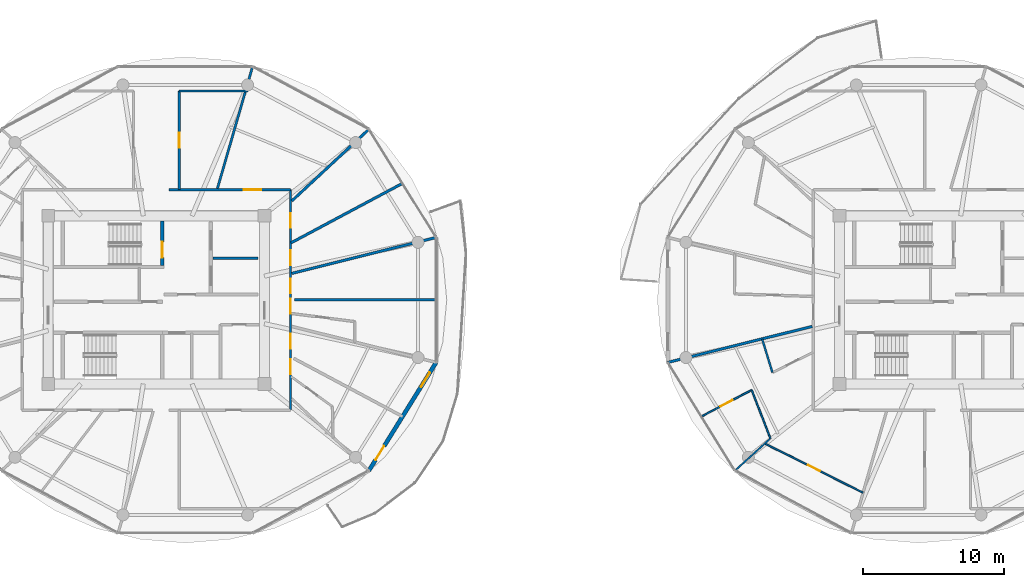
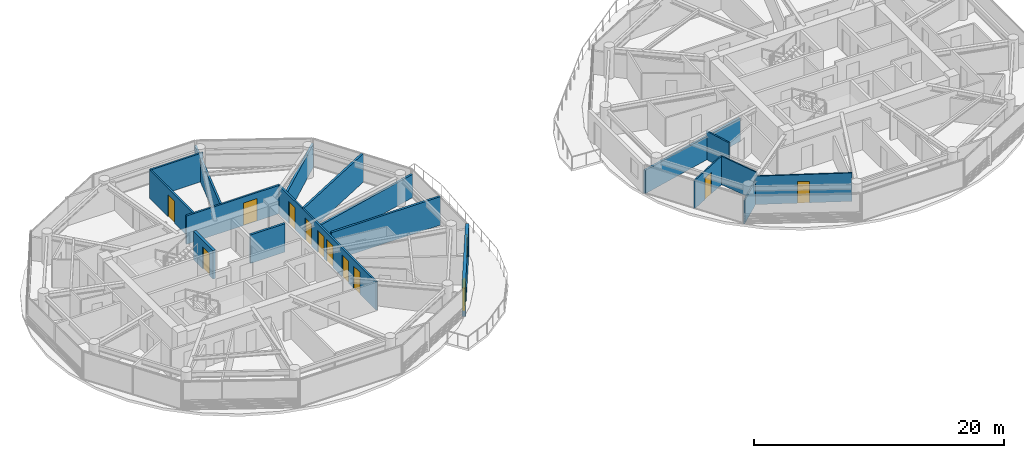
# One storey, part 15 of 22: 18 walls, 12 doors, 1 window, 13 openings.
"""IFC4 building model written with IfcOpenShell, lengths in metres."""

from ifc_helpers import new_model, si_unit, direction, frame, frame_2d, origin, place, context, subcontext, project, spatial, rectangle, extrude, source, transform, mapped, material, layer, layer_set, type_object, type_shapes, element, fill, save


model = new_model("IFC4")

# Units and contexts
model_context = context("Model", 3, precision=1e-05, world=origin(), true_north=direction((0.0, 1.0)))
body_context = subcontext(model_context, "Body", "Model", "MODEL_VIEW")
ifc_project = project(units=[si_unit("LENGTHUNIT", "METRE"), si_unit("AREAUNIT", "SQUARE_METRE"), si_unit("VOLUMEUNIT", "CUBIC_METRE"), si_unit("PLANEANGLEUNIT", "RADIAN"), si_unit("MASSUNIT", "GRAM", prefix="KILO")], contexts=[model_context])

# Site, building, storey
site_placement = place(None, origin())
site = spatial("IfcSite", under=ifc_project, at=site_placement, CompositionType="ELEMENT")
building_placement = place(site_placement, origin())
building = spatial("IfcBuilding", under=site, at=building_placement, Name="Norrkilde Senior Care Towers", CompositionType="ELEMENT")
storey_placement = place(building_placement, frame((0.0, 0.0, 120.64990234375)))
storey = spatial("IfcBuildingStorey", under=building, at=storey_placement, Name="L37", CompositionType="ELEMENT", Elevation=120.64990234375)

# Wall, openings, door, window
ifc_material_1 = material(Name="Precast concrete C45/55", Category="concrete")
ifc_layer_1 = layer(ifc_material_1, 0.2900390625)
ifc_layer_set_1 = layer_set([ifc_layer_1], Name="Precast concrete C45/55")
wall_type_1 = type_object("IfcWallType", Name="Winter Garden Facade Wall 290", PredefinedType="SOLIDWALL", material=ifc_layer_set_1)
shared_shape_1 = source(origin(), body_context, "Body", "SweptSolid", [
    extrude(rectangle(XDim=9.01416015625, YDim=0.2900390625, at=frame_2d((4.507080078125, 0.0))), origin(), (0.0, 0.0, 1.0), 2.7900390625),
])
type_shapes(wall_type_1, [shared_shape_1])
wall_1_placement = place(storey_placement, frame((-8.1962890625, -4.420654296875, 0.0), z_axis=(0.0, 0.0, 1.0), x_axis=(-0.527732945084, -0.849410347637, 0.0)))
wall_1 = element("IfcWall", 1, at=wall_1_placement, inside=storey, type_object=wall_type_1, Name="L37 Drum W Balcony Access Wall 10", PredefinedType="SOLIDWALL", context=body_context, shape_type="MappedRepresentation", body=[
    mapped(shared_shape_1, transform((0.0, 0.0, 0.0), x_axis=(1.0, 0.0, 0.0), y_axis=(0.0, 1.0, 0.0), z_axis=(0.0, 0.0, 1.0), scale=1.0)),
])
opening_1_placement = place(wall_1_placement, frame((6.97998046875, 0.0, 0.0)))
opening_1 = element("IfcOpeningElement", 2, at=opening_1_placement, cuts=wall_1, Name="Opening D-09", PredefinedType="OPENING", context=body_context, shape_type="SweptSolid", body=[
    extrude(rectangle(XDim=1.14990234375, YDim=2.25, at=frame_2d((0.574951171875, 1.125))), frame((0.0, 0.155029296875, 0.0), z_axis=(0.0, -1.0, 0.0), x_axis=(1.0, 0.0, 0.0)), (0.0, 0.0, 1.0), 0.31005859375),
])
opening_2_placement = place(wall_1_placement, frame((0.85009765625, 0.0, 0.85009765625)))
opening_2 = element("IfcOpeningElement", 3, at=opening_2_placement, cuts=wall_1, Name="Opening WN-07", PredefinedType="OPENING", context=body_context, shape_type="SweptSolid", body=[
    extrude(rectangle(XDim=1.199951171875, YDim=1.5, at=frame_2d((0.60009765625, 0.75))), frame((0.0, 0.155029296875, 0.0), z_axis=(0.0, -1.0, 0.0), x_axis=(1.0, 0.0, 0.0)), (0.0, 0.0, 1.0), 0.31005859375),
])
ifc_material_2 = material(Name="Anodised Aluminium", Category="aluminium")
door_type_1 = type_object("IfcDoorType", Name="Terrace and Balcony Glazed Door 1150x2250", OperationType="NOTDEFINED", PredefinedType="DOOR", material=ifc_material_2)
shared_shape_2 = source(origin(), body_context, "Body", "SweptSolid", [
    extrude(rectangle(XDim=1.14990234375, YDim=2.25, at=frame_2d((0.574951171875, 1.125))), frame((0.0, 0.02490234375, 0.0), z_axis=(0.0, -1.0, 0.0), x_axis=(1.0, 0.0, 0.0)), (0.0, 0.0, 1.0), 0.050048828125),
])
type_shapes(door_type_1, [shared_shape_2])
door_1_placement = place(opening_1_placement, origin())
door_1 = element("IfcDoor", 4, at=door_1_placement, inside=storey, type_object=door_type_1, Name="L37 Drum W Outdoor Terrace Door 10", OperationType="SINGLE_SWING_LEFT", OverallHeight=2.25, OverallWidth=1.14990234375, PredefinedType="DOOR", context=body_context, shape_type="MappedRepresentation", body=[
    mapped(shared_shape_2, transform((0.0, 0.0, 0.0), x_axis=(1.0, 0.0, 0.0), y_axis=(0.0, 1.0, 0.0), z_axis=(0.0, 0.0, 1.0), scale=1.0)),
])
fill(opening_1, door_1)
ifc_material_3 = material(Name="Triple Low-E Insulated Glazing", Category="glass")
window_type = type_object("IfcWindowType", Name="Stairwell Smoke Vent Window 1200x1500", PartitioningType="SINGLE_PANEL", PredefinedType="WINDOW", material=ifc_material_3)
shared_shape_3 = source(origin(), body_context, "Body", "SweptSolid", [
    extrude(rectangle(XDim=1.199951171875, YDim=1.5, at=frame_2d((0.60009765625, 0.75))), frame((0.0, 0.030029296875, 0.0), z_axis=(0.0, -1.0, 0.0), x_axis=(1.0, 0.0, 0.0)), (0.0, 0.0, 1.0), 0.06005859375),
])
type_shapes(window_type, [shared_shape_3])
window_placement = place(opening_2_placement, origin())
window = element("IfcWindow", 5, at=window_placement, inside=storey, type_object=window_type, Name="L37 Drum W Winter Garden Window 10", OverallHeight=1.5, OverallWidth=1.199951171875, PartitioningType="SINGLE_PANEL", PredefinedType="WINDOW", context=body_context, shape_type="MappedRepresentation", body=[
    mapped(shared_shape_3, transform((0.0, 0.0, 0.0), x_axis=(1.0, 0.0, 0.0), y_axis=(0.0, 1.0, 0.0), z_axis=(0.0, 0.0, 1.0), scale=1.0)),
])
fill(opening_2, window)

# Wall
ifc_material_4 = material(Name="Concrete C45/55", Category="concrete")
ifc_layer_2 = layer(ifc_material_4, 0.199951171875)
ifc_layer_set_2 = layer_set([ifc_layer_2], Name="Concrete C45/55")
wall_type_2 = type_object("IfcWallType", Name="Shaft Division and Plant Partition 200", PredefinedType="PARTITIONING", material=ifc_layer_set_2)
shared_shape_4 = source(origin(), body_context, "Body", "SweptSolid", [
    extrude(rectangle(XDim=3.199951171875, YDim=0.199951171875, at=frame_2d((1.60009765625, 0.0))), origin(), (0.0, 0.0, 1.0), 2.775146484375),
])
type_shapes(wall_type_2, [shared_shape_4])
wall_2_placement = place(storey_placement, frame((-24.0, 2.949951171875, 0.0), z_axis=(0.0, 0.0, 1.0), x_axis=(1.0, 0.0, 0.0)))
element("IfcWall", 6, at=wall_2_placement, inside=storey, type_object=wall_type_2, Name="WL-INT-L37-W-FFLDIV", PredefinedType="PARTITIONING", context=body_context, shape_type="MappedRepresentation", body=[
    mapped(shared_shape_4, transform((0.0, 0.0, 0.0), x_axis=(1.0, 0.0, 0.0), y_axis=(0.0, 1.0, 0.0), z_axis=(0.0, 0.0, 1.0), scale=1.0)),
])

# Wall, openings, doors
ifc_material_5 = material(Name="Gypsum Acoustic Board")
ifc_layer_3 = layer(ifc_material_5, 0.1650390625)
ifc_layer_set_3 = layer_set([ifc_layer_3], Name="Gypsum Acoustic Board")
wall_type_3 = type_object("IfcWallType", Name="Corridor Rated Partition 165", PredefinedType="PARTITIONING", material=ifc_layer_set_3)
shared_shape_5 = source(origin(), body_context, "Body", "SweptSolid", [
    extrude(rectangle(XDim=15.60009765625, YDim=0.1650390625, at=frame_2d((7.800048828125, 0.0))), origin(), (0.0, 0.0, 1.0), 2.775146484375),
])
wall_3_placement = place(storey_placement, frame((-18.5, 7.800048828125, 0.0), z_axis=(0.0, 0.0, 1.0), x_axis=(0.0, -1.0, 0.0)))
wall_3 = element("IfcWall", 7, at=wall_3_placement, inside=storey, type_object=wall_type_3, Name="WL-INT-L37-W-CRW-E-0", PredefinedType="PARTITIONING", context=body_context, shape_type="MappedRepresentation", body=[
    mapped(shared_shape_5, transform((0.0, 0.0, 0.0), x_axis=(1.0, 0.0, 0.0), y_axis=(0.0, 1.0, 0.0), z_axis=(0.0, 0.0, 1.0), scale=1.0)),
])
opening_3_placement = place(wall_3_placement, frame((12.001953125, 0.0, 0.0)))
opening_3 = element("IfcOpeningElement", 8, at=opening_3_placement, cuts=wall_3, Name="Opening D-06", PredefinedType="OPENING", context=body_context, shape_type="SweptSolid", body=[
    extrude(rectangle(XDim=1.050048828125, YDim=2.14990234375, at=frame_2d((0.52490234375, 1.074951171875))), frame((0.0, 0.092529296875, 0.0), z_axis=(0.0, -1.0, 0.0), x_axis=(1.0, 0.0, 0.0)), (0.0, 0.0, 1.0), 0.18505859375),
])
opening_4_placement = place(wall_3_placement, frame((10.210693359375, 0.0, 0.0)))
opening_4 = element("IfcOpeningElement", 9, at=opening_4_placement, cuts=wall_3, Name="Opening D-06", PredefinedType="OPENING", context=body_context, shape_type="SweptSolid", body=[
    extrude(rectangle(XDim=1.050048828125, YDim=2.14990234375, at=frame_2d((0.52490234375, 1.074951171875))), frame((0.0, 0.092529296875, 0.0), z_axis=(0.0, -1.0, 0.0), x_axis=(1.0, 0.0, 0.0)), (0.0, 0.0, 1.0), 0.18505859375),
])
opening_5_placement = place(wall_3_placement, frame((7.721923828125, 0.0, 0.0)))
opening_5 = element("IfcOpeningElement", 10, at=opening_5_placement, cuts=wall_3, Name="Opening D-06", PredefinedType="OPENING", context=body_context, shape_type="SweptSolid", body=[
    extrude(rectangle(XDim=1.050048828125, YDim=2.14990234375, at=frame_2d((0.52490234375, 1.074951171875))), frame((0.0, 0.092529296875, 0.0), z_axis=(0.0, -1.0, 0.0), x_axis=(1.0, 0.0, 0.0)), (0.0, 0.0, 1.0), 0.18505859375),
])
opening_6_placement = place(wall_3_placement, frame((6.290771484375, 0.0, 0.0)))
opening_6 = element("IfcOpeningElement", 11, at=opening_6_placement, cuts=wall_3, Name="Opening D-06", PredefinedType="OPENING", context=body_context, shape_type="SweptSolid", body=[
    extrude(rectangle(XDim=1.050048828125, YDim=2.14990234375, at=frame_2d((0.52490234375, 1.074951171875))), frame((0.0, 0.092529296875, 0.0), z_axis=(0.0, -1.0, 0.0), x_axis=(1.0, 0.0, 0.0)), (0.0, 0.0, 1.0), 0.18505859375),
])
opening_7_placement = place(wall_3_placement, frame((4.296142578125, 0.0, 0.0)))
opening_7 = element("IfcOpeningElement", 12, at=opening_7_placement, cuts=wall_3, Name="Opening D-06", PredefinedType="OPENING", context=body_context, shape_type="SweptSolid", body=[
    extrude(rectangle(XDim=1.050048828125, YDim=2.14990234375, at=frame_2d((0.52490234375, 1.074951171875))), frame((0.0, 0.092529296875, 0.0), z_axis=(0.0, -1.0, 0.0), x_axis=(1.0, 0.0, 0.0)), (0.0, 0.0, 1.0), 0.18505859375),
])
opening_8_placement = place(wall_3_placement, frame((1.654052734375, 0.0, 0.0)))
opening_8 = element("IfcOpeningElement", 13, at=opening_8_placement, cuts=wall_3, Name="Opening D-06", PredefinedType="OPENING", context=body_context, shape_type="SweptSolid", body=[
    extrude(rectangle(XDim=1.050048828125, YDim=2.14990234375, at=frame_2d((0.52490234375, 1.074951171875))), frame((0.0, 0.092529296875, 0.0), z_axis=(0.0, -1.0, 0.0), x_axis=(1.0, 0.0, 0.0)), (0.0, 0.0, 1.0), 0.18505859375),
])
ifc_material_6 = material(Name="Nordic Ash Timber", Category="wood")
door_type_2 = type_object("IfcDoorType", Name="Apartment Entrance Fire Door 1050x2150", OperationType="NOTDEFINED", PredefinedType="DOOR", material=ifc_material_6)
shared_shape_6 = source(origin(), body_context, "Body", "SweptSolid", [
    extrude(rectangle(XDim=1.050048828125, YDim=2.14990234375, at=frame_2d((0.52490234375, 1.074951171875))), frame((0.0, 0.02490234375, 0.0), z_axis=(0.0, -1.0, 0.0), x_axis=(1.0, 0.0, 0.0)), (0.0, 0.0, 1.0), 0.050048828125),
])
type_shapes(door_type_2, [shared_shape_6])
door_2_placement = place(opening_3_placement, frame((1.050048828125, 0.0, 0.0), z_axis=(0.0, 0.0, 1.0), x_axis=(-1.0, 0.0, 0.0)))
door_2 = element("IfcDoor", 14, at=door_2_placement, inside=storey, type_object=door_type_2, Name="L37 Care Suite 3710A Entrance Door", OperationType="SINGLE_SWING_LEFT", OverallHeight=2.14990234375, OverallWidth=1.050048828125, PredefinedType="DOOR", context=body_context, shape_type="MappedRepresentation", body=[
    mapped(shared_shape_6, transform((0.0, 0.0, 0.0), x_axis=(1.0, 0.0, 0.0), y_axis=(0.0, 1.0, 0.0), z_axis=(0.0, 0.0, 1.0), scale=1.0)),
])
fill(opening_3, door_2)
door_3_placement = place(opening_4_placement, frame((1.050048828125, 0.0, 0.0), z_axis=(0.0, 0.0, 1.0), x_axis=(-1.0, 0.0, 0.0)))
door_3 = element("IfcDoor", 15, at=door_3_placement, inside=storey, type_object=door_type_2, Name="L37 Therapy Day Lounge 10 Door", OperationType="SINGLE_SWING_RIGHT", OverallHeight=2.14990234375, OverallWidth=1.050048828125, PredefinedType="DOOR", context=body_context, shape_type="MappedRepresentation", body=[
    mapped(shared_shape_6, transform((0.0, 0.0, 0.0), x_axis=(1.0, 0.0, 0.0), y_axis=(0.0, 1.0, 0.0), z_axis=(0.0, 0.0, 1.0), scale=1.0)),
])
fill(opening_4, door_3)
door_4_placement = place(opening_5_placement, frame((1.050048828125, 0.0, 0.0), z_axis=(0.0, 0.0, 1.0), x_axis=(-1.0, 0.0, 0.0)))
door_4 = element("IfcDoor", 16, at=door_4_placement, inside=storey, type_object=door_type_2, Name="L37 Care Suite 3711A Entrance Door", OperationType="SINGLE_SWING_RIGHT", OverallHeight=2.14990234375, OverallWidth=1.050048828125, PredefinedType="DOOR", context=body_context, shape_type="MappedRepresentation", body=[
    mapped(shared_shape_6, transform((0.0, 0.0, 0.0), x_axis=(1.0, 0.0, 0.0), y_axis=(0.0, 1.0, 0.0), z_axis=(0.0, 0.0, 1.0), scale=1.0)),
])
fill(opening_5, door_4)
door_5_placement = place(opening_6_placement, frame((1.050048828125, 0.0, 0.0), z_axis=(0.0, 0.0, 1.0), x_axis=(-1.0, 0.0, 0.0)))
door_5 = element("IfcDoor", 17, at=door_5_placement, inside=storey, type_object=door_type_2, Name="L37 Therapy Day Lounge 11 Door", OperationType="SINGLE_SWING_LEFT", OverallHeight=2.14990234375, OverallWidth=1.050048828125, PredefinedType="DOOR", context=body_context, shape_type="MappedRepresentation", body=[
    mapped(shared_shape_6, transform((0.0, 0.0, 0.0), x_axis=(1.0, 0.0, 0.0), y_axis=(0.0, 1.0, 0.0), z_axis=(0.0, 0.0, 1.0), scale=1.0)),
])
fill(opening_6, door_5)
door_6_placement = place(opening_7_placement, frame((1.050048828125, 0.0, 0.0), z_axis=(0.0, 0.0, 1.0), x_axis=(-1.0, 0.0, 0.0)))
door_6 = element("IfcDoor", 18, at=door_6_placement, inside=storey, type_object=door_type_2, Name="L37 Physiotherapy Clinic 0A Door", OperationType="SINGLE_SWING_LEFT", OverallHeight=2.14990234375, OverallWidth=1.050048828125, PredefinedType="DOOR", context=body_context, shape_type="MappedRepresentation", body=[
    mapped(shared_shape_6, transform((0.0, 0.0, 0.0), x_axis=(1.0, 0.0, 0.0), y_axis=(0.0, 1.0, 0.0), z_axis=(0.0, 0.0, 1.0), scale=1.0)),
])
fill(opening_7, door_6)
door_7_placement = place(opening_8_placement, frame((1.050048828125, 0.0, 0.0), z_axis=(0.0, 0.0, 1.0), x_axis=(-1.0, 0.0, 0.0)))
door_7 = element("IfcDoor", 19, at=door_7_placement, inside=storey, type_object=door_type_2, Name="L37 Assessment Clinic 0B Door", OperationType="SINGLE_SWING_RIGHT", OverallHeight=2.14990234375, OverallWidth=1.050048828125, PredefinedType="DOOR", context=body_context, shape_type="MappedRepresentation", body=[
    mapped(shared_shape_6, transform((0.0, 0.0, 0.0), x_axis=(1.0, 0.0, 0.0), y_axis=(0.0, 1.0, 0.0), z_axis=(0.0, 0.0, 1.0), scale=1.0)),
])
fill(opening_8, door_7)

# Wall, opening, door
ifc_layer_4 = layer(ifc_material_4, 0.239990234375)
ifc_layer_set_4 = layer_set([ifc_layer_4], Name="Concrete C45/55")
wall_type_4 = type_object("IfcWallType", Name="Shaft and Stair Enclosure Wall 240", PredefinedType="PARTITIONING", material=ifc_layer_set_4)
shared_shape_7 = source(origin(), body_context, "Body", "SweptSolid", [
    extrude(rectangle(XDim=3.14013671875, YDim=0.239990234375, at=frame_2d((1.570068359375, 0.0))), origin(), (0.0, 0.0, 1.0), 2.7900390625),
])
type_shapes(wall_type_4, [shared_shape_7])
wall_4_placement = place(storey_placement, frame((-27.580078125, 2.449951171875, 0.0), z_axis=(0.0, 0.0, 1.0), x_axis=(0.0, 1.0, 0.0)))
wall_4 = element("IfcWall", 20, at=wall_4_placement, inside=storey, type_object=wall_type_4, Name="WL-INT-L37-W-ST1E", PredefinedType="PARTITIONING", context=body_context, shape_type="MappedRepresentation", body=[
    mapped(shared_shape_7, transform((0.0, 0.0, 0.0), x_axis=(1.0, 0.0, 0.0), y_axis=(0.0, 1.0, 0.0), z_axis=(0.0, 0.0, 1.0), scale=1.0)),
])
opening_9_placement = place(wall_4_placement, frame((0.550048828125, 0.0, 0.0)))
opening_9 = element("IfcOpeningElement", 21, at=opening_9_placement, cuts=wall_4, Name="Opening D-03", PredefinedType="OPENING", context=body_context, shape_type="SweptSolid", body=[
    extrude(rectangle(XDim=1.10009765625, YDim=2.14990234375, at=frame_2d((0.550048828125, 1.074951171875))), frame((0.0, 0.1298828125, 0.0), z_axis=(0.0, -1.0, 0.0), x_axis=(1.0, 0.0, 0.0)), (0.0, 0.0, 1.0), 0.260009765625),
])
ifc_material_7 = material(Name="Galvanised Painted Steel", Category="steel")
door_type_3 = type_object("IfcDoorType", Name="Stairwell Protected Fire Door 1100x2150", OperationType="NOTDEFINED", PredefinedType="DOOR", material=ifc_material_7)
shared_shape_8 = source(origin(), body_context, "Body", "SweptSolid", [
    extrude(rectangle(XDim=1.10009765625, YDim=2.14990234375, at=frame_2d((0.550048828125, 1.074951171875))), frame((0.0, 0.02490234375, 0.0), z_axis=(0.0, -1.0, 0.0), x_axis=(1.0, 0.0, 0.0)), (0.0, 0.0, 1.0), 0.050048828125),
])
type_shapes(door_type_3, [shared_shape_8])
door_8_placement = place(opening_9_placement, origin())
door_8 = element("IfcDoor", 22, at=door_8_placement, inside=storey, type_object=door_type_3, Name="L37 Stair W1 Fire Door", OperationType="SINGLE_SWING_LEFT", OverallHeight=2.14990234375, OverallWidth=1.10009765625, PredefinedType="DOOR", context=body_context, shape_type="MappedRepresentation", body=[
    mapped(shared_shape_8, transform((0.0, 0.0, 0.0), x_axis=(1.0, 0.0, 0.0), y_axis=(0.0, 1.0, 0.0), z_axis=(0.0, 0.0, 1.0), scale=1.0)),
])
fill(opening_9, door_8)

# Walls
ifc_layer_5 = layer(ifc_material_5, 0.18994140625)
ifc_layer_set_5 = layer_set([ifc_layer_5], Name="Gypsum Acoustic Board")
wall_type_5 = type_object("IfcWallType", Name="Unit Demising Acoustic Wall 190", PredefinedType="PARTITIONING", material=ifc_layer_set_5)
shared_shape_9 = source(origin(), body_context, "Body", "SweptSolid", [
    extrude(rectangle(XDim=7.482177734375, YDim=0.18994140625, at=frame_2d((3.7412109375, 0.0))), origin(), (0.0, 0.0, 1.0), 2.275146484375),
])
wall_5_placement = place(storey_placement, frame((-18.419921875, 6.998046875, 0.0), z_axis=(0.0, 0.0, 1.0), x_axis=(0.732508698043, 0.680757671489, 0.0)))
element("IfcWall", 23, at=wall_5_placement, inside=storey, type_object=wall_type_5, Name="WL-INT-L37-W-DEM-01-0", PredefinedType="PARTITIONING", context=body_context, shape_type="MappedRepresentation", body=[
    mapped(shared_shape_9, transform((0.0, 0.0, 0.0), x_axis=(1.0, 0.0, 0.0), y_axis=(0.0, 1.0, 0.0), z_axis=(0.0, 0.0, 1.0), scale=1.0)),
])
shared_shape_10 = source(origin(), body_context, "Body", "SweptSolid", [
    extrude(rectangle(XDim=10.5556640625, YDim=0.18994140625, at=frame_2d((5.27783203125, 0.0))), origin(), (0.0, 0.0, 1.0), 2.275146484375),
])
for number, where, z_axis, x_axis, name in (
    (24, (-18.419921875, 1.875, 0.0), (0.0, 0.0, 1.0), (0.970363857851, 0.241648470667, 0.0), "WL-INT-L37-W-DEM-00-0"),
    (25, (18.419921875, -1.875, 0.0), (0.0, 0.0, 1.0), (-0.970363857851, -0.241648470667, 0.0), "WL-INT-L37-E-DEM-06-0"),
):
    element("IfcWall", number, at=place(storey_placement, frame(where, z_axis=z_axis, x_axis=x_axis)), inside=storey, type_object=wall_type_5, Name=name, PredefinedType="PARTITIONING", context=body_context, shape_type="MappedRepresentation", body=[
        mapped(shared_shape_10, transform((0.0, 0.0, 0.0), x_axis=(1.0, 0.0, 0.0), y_axis=(0.0, 1.0, 0.0), z_axis=(0.0, 0.0, 1.0), scale=1.0)),
    ])

# Wall, opening, door
shared_shape_11 = source(origin(), body_context, "Body", "SweptSolid", [
    extrude(rectangle(XDim=8.60009765625, YDim=0.1650390625, at=frame_2d((4.300048828125, 0.0))), origin(), (0.0, 0.0, 1.0), 2.775146484375),
])
wall_6_placement = place(storey_placement, frame((-27.10009765625, 7.800048828125, 0.0), z_axis=(0.0, 0.0, 1.0), x_axis=(1.0, 0.0, 0.0)))
wall_6 = element("IfcWall", 26, at=wall_6_placement, inside=storey, type_object=wall_type_3, Name="WL-INT-L37-W-CRW-N-1", PredefinedType="PARTITIONING", context=body_context, shape_type="MappedRepresentation", body=[
    mapped(shared_shape_11, transform((0.0, 0.0, 0.0), x_axis=(1.0, 0.0, 0.0), y_axis=(0.0, 1.0, 0.0), z_axis=(0.0, 0.0, 1.0), scale=1.0)),
])
opening_10_placement = place(wall_6_placement, frame((5.27490234375, 0.0, 0.0)))
opening_10 = element("IfcOpeningElement", 27, at=opening_10_placement, cuts=wall_6, Name="Opening D-05", PredefinedType="OPENING", context=body_context, shape_type="SweptSolid", body=[
    extrude(rectangle(XDim=1.25, YDim=2.199951171875, at=frame_2d((0.625, 1.10009765625))), frame((0.0, 0.092529296875, 0.0), z_axis=(0.0, -1.0, 0.0), x_axis=(1.0, 0.0, 0.0)), (0.0, 0.0, 1.0), 0.18505859375),
])
door_type_4 = type_object("IfcDoorType", Name="Care Bedroom Bariatric Door 1250x2200", OperationType="NOTDEFINED", PredefinedType="DOOR", material=ifc_material_6)
shared_shape_12 = source(origin(), body_context, "Body", "SweptSolid", [
    extrude(rectangle(XDim=1.25, YDim=2.199951171875, at=frame_2d((0.625, 1.10009765625))), frame((0.0, 0.02490234375, 0.0), z_axis=(0.0, -1.0, 0.0), x_axis=(1.0, 0.0, 0.0)), (0.0, 0.0, 1.0), 0.050048828125),
])
type_shapes(door_type_4, [shared_shape_12])
door_9_placement = place(opening_10_placement, frame((1.25, 0.0, 0.0), z_axis=(0.0, 0.0, 1.0), x_axis=(-1.0, 0.0, 0.0)))
door_9 = element("IfcDoor", 28, at=door_9_placement, inside=storey, type_object=door_type_4, Name="L37 Household Therapeutic Kitchen Door", OperationType="SINGLE_SWING_RIGHT", OverallHeight=2.199951171875, OverallWidth=1.25, PredefinedType="DOOR", context=body_context, shape_type="MappedRepresentation", body=[
    mapped(shared_shape_12, transform((0.0, 0.0, 0.0), x_axis=(1.0, 0.0, 0.0), y_axis=(0.0, 1.0, 0.0), z_axis=(0.0, 0.0, 1.0), scale=1.0)),
])
fill(opening_10, door_9)

# Walls
shared_shape_13 = source(origin(), body_context, "Body", "SweptSolid", [
    extrude(rectangle(XDim=8.9892578125, YDim=0.1650390625, at=frame_2d((4.49462890625, 0.0))), origin(), (0.0, 0.0, 1.0), 2.275146484375),
])
wall_7_placement = place(storey_placement, frame((-23.677978515625, 7.8798828125, 0.0), z_axis=(0.0, 0.0, 1.0), x_axis=(0.27702323008, 0.960863221274, 0.0)))
element("IfcWall", 29, at=wall_7_placement, inside=storey, type_object=wall_type_3, Name="WL-INT-L37-W-DEM-02-0", PredefinedType="PARTITIONING", context=body_context, shape_type="MappedRepresentation", body=[
    mapped(shared_shape_13, transform((0.0, 0.0, 0.0), x_axis=(1.0, 0.0, 0.0), y_axis=(0.0, 1.0, 0.0), z_axis=(0.0, 0.0, 1.0), scale=1.0)),
])
shared_shape_14 = source(origin(), body_context, "Body", "SweptSolid", [
    extrude(rectangle(XDim=10.035888671875, YDim=0.18994140625, at=frame_2d((5.01806640625, 0.0))), origin(), (0.0, 0.0, 1.0), 2.775146484375),
])
wall_8_placement = place(storey_placement, frame((-18.212890625, 0.0, 0.0), z_axis=(0.0, 0.0, 1.0), x_axis=(1.0, 0.0, 0.0)))
element("IfcWall", 30, at=wall_8_placement, inside=storey, type_object=wall_type_5, Name="WL-INT-L37-W-CMID-11", PredefinedType="PARTITIONING", context=body_context, shape_type="MappedRepresentation", body=[
    mapped(shared_shape_14, transform((0.0, 0.0, 0.0), x_axis=(1.0, 0.0, 0.0), y_axis=(0.0, 1.0, 0.0), z_axis=(0.0, 0.0, 1.0), scale=1.0)),
])
shared_shape_15 = source(origin(), body_context, "Body", "SweptSolid", [
    extrude(rectangle(XDim=8.96826171875, YDim=0.18994140625, at=frame_2d((4.484130859375, 0.0))), origin(), (0.0, 0.0, 1.0), 2.775146484375),
])
type_shapes(wall_type_5, [shared_shape_9, shared_shape_10, shared_shape_14, shared_shape_15])
wall_9_placement = place(storey_placement, frame((-18.469970703125, 4.03564453125, 0.0), z_axis=(0.0, 0.0, 1.0), x_axis=(0.882202936563, 0.47086938605, 0.0)))
element("IfcWall", 31, at=wall_9_placement, inside=storey, type_object=wall_type_5, Name="WL-INT-L37-W-MID-00", PredefinedType="PARTITIONING", context=body_context, shape_type="MappedRepresentation", body=[
    mapped(shared_shape_15, transform((0.0, 0.0, 0.0), x_axis=(1.0, 0.0, 0.0), y_axis=(0.0, 1.0, 0.0), z_axis=(0.0, 0.0, 1.0), scale=1.0)),
])

# Wall, opening, door
ifc_layer_6 = layer(ifc_material_5, 0.114990234375)
ifc_layer_set_6 = layer_set([ifc_layer_6], Name="Gypsum Acoustic Board")
wall_type_6 = type_object("IfcWallType", Name="Internal Room Partition 115", PredefinedType="PARTITIONING", material=ifc_layer_set_6)
shared_shape_16 = source(origin(), body_context, "Body", "SweptSolid", [
    extrude(rectangle(XDim=7.76708984375, YDim=0.114990234375, at=frame_2d((3.883544921875, 0.0))), origin(), (0.0, 0.0, 1.0), 2.775146484375),
])
wall_10_placement = place(storey_placement, frame((15.069580078125, -10.16748046875, 0.0), z_axis=(0.0, 0.0, 1.0), x_axis=(0.894188177352, -0.447691303783, 0.0)))
wall_10 = element("IfcWall", 32, at=wall_10_placement, inside=storey, type_object=wall_type_6, Name="WL-INT-L37-E-UBC-06-1", PredefinedType="PARTITIONING", context=body_context, shape_type="MappedRepresentation", body=[
    mapped(shared_shape_16, transform((0.0, 0.0, 0.0), x_axis=(1.0, 0.0, 0.0), y_axis=(0.0, 1.0, 0.0), z_axis=(0.0, 0.0, 1.0), scale=1.0)),
])
opening_11_placement = place(wall_10_placement, frame((3.40869140625, 0.0, 0.0)))
opening_11 = element("IfcOpeningElement", 33, at=opening_11_placement, cuts=wall_10, Name="Opening D-07", PredefinedType="OPENING", context=body_context, shape_type="SweptSolid", body=[
    extrude(rectangle(XDim=0.949951171875, YDim=2.10009765625, at=frame_2d((0.47509765625, 1.050048828125))), frame((0.0, 0.0673828125, 0.0), z_axis=(0.0, -1.0, 0.0), x_axis=(1.0, 0.0, 0.0)), (0.0, 0.0, 1.0), 0.135009765625),
])
door_type_5 = type_object("IfcDoorType", Name="Internal Suite Bedroom Door 950x2100", OperationType="NOTDEFINED", PredefinedType="DOOR", material=ifc_material_6)
shared_shape_17 = source(origin(), body_context, "Body", "SweptSolid", [
    extrude(rectangle(XDim=0.949951171875, YDim=2.10009765625, at=frame_2d((0.47509765625, 1.050048828125))), frame((0.0, 0.02490234375, 0.0), z_axis=(0.0, -1.0, 0.0), x_axis=(1.0, 0.0, 0.0)), (0.0, 0.0, 1.0), 0.050048828125),
])
type_shapes(door_type_5, [shared_shape_17])
door_10_placement = place(opening_11_placement, origin())
door_10 = element("IfcDoor", 34, at=door_10_placement, inside=storey, type_object=door_type_5, Name="Apartment 37C Bedroom 1 Door", OperationType="SINGLE_SWING_RIGHT", OverallHeight=2.10009765625, OverallWidth=0.949951171875, PredefinedType="DOOR", context=body_context, shape_type="MappedRepresentation", body=[
    mapped(shared_shape_17, transform((0.0, 0.0, 0.0), x_axis=(1.0, 0.0, 0.0), y_axis=(0.0, 1.0, 0.0), z_axis=(0.0, 0.0, 1.0), scale=1.0)),
])
fill(opening_11, door_10)

shared_shape_18 = source(origin(), body_context, "Body", "SweptSolid", [
    extrude(rectangle(XDim=6.989990234375, YDim=0.1650390625, at=frame_2d((3.4951171875, 0.0))), origin(), (0.0, 0.0, 1.0), 2.775146484375),
])
wall_11_placement = place(storey_placement, frame((-26.3798828125, 7.800048828125, 0.0), z_axis=(0.0, 0.0, 1.0), x_axis=(0.0, 1.0, 0.0)))
wall_11 = element("IfcWall", 35, at=wall_11_placement, inside=storey, type_object=wall_type_3, Name="WL-INT-L37-W-PKW-NEL", PredefinedType="PARTITIONING", context=body_context, shape_type="MappedRepresentation", body=[
    mapped(shared_shape_18, transform((0.0, 0.0, 0.0), x_axis=(1.0, 0.0, 0.0), y_axis=(0.0, 1.0, 0.0), z_axis=(0.0, 0.0, 1.0), scale=1.0)),
])
opening_12_placement = place(wall_11_placement, frame((2.969970703125, 0.0, 0.0)))
opening_12 = element("IfcOpeningElement", 36, at=opening_12_placement, cuts=wall_11, Name="Opening D-06", PredefinedType="OPENING", context=body_context, shape_type="SweptSolid", body=[
    extrude(rectangle(XDim=1.050048828125, YDim=2.14990234375, at=frame_2d((0.52490234375, 1.074951171875))), frame((0.0, 0.092529296875, 0.0), z_axis=(0.0, -1.0, 0.0), x_axis=(1.0, 0.0, 0.0)), (0.0, 0.0, 1.0), 0.18505859375),
])
door_11_placement = place(opening_12_placement, frame((1.050048828125, 0.0, 0.0), z_axis=(0.0, 0.0, 1.0), x_axis=(-1.0, 0.0, 0.0)))
door_11 = element("IfcDoor", 37, at=door_11_placement, inside=storey, type_object=door_type_2, Name="L37 Reading Lounge NEL Door", OperationType="SINGLE_SWING_RIGHT", OverallHeight=2.14990234375, OverallWidth=1.050048828125, PredefinedType="DOOR", context=body_context, shape_type="MappedRepresentation", body=[
    mapped(shared_shape_6, transform((0.0, 0.0, 0.0), x_axis=(1.0, 0.0, 0.0), y_axis=(0.0, 1.0, 0.0), z_axis=(0.0, 0.0, 1.0), scale=1.0)),
])
fill(opening_12, door_11)

# Walls
shared_shape_19 = source(origin(), body_context, "Body", "SweptSolid", [
    extrude(rectangle(XDim=4.8505859375, YDim=0.1650390625, at=frame_2d((2.42529296875, 0.0))), origin(), (0.0, 0.0, 1.0), 2.775146484375),
])
type_shapes(wall_type_3, [shared_shape_5, shared_shape_11, shared_shape_13, shared_shape_18, shared_shape_19])
wall_12_placement = place(storey_placement, frame((-26.3798828125, 14.7900390625, 0.0), z_axis=(0.0, 0.0, 1.0), x_axis=(1.0, 0.0, 0.0)))
element("IfcWall", 38, at=wall_12_placement, inside=storey, type_object=wall_type_3, Name="WL-INT-L37-W-PKH-NEL-0", PredefinedType="PARTITIONING", context=body_context, shape_type="MappedRepresentation", body=[
    mapped(shared_shape_19, transform((0.0, 0.0, 0.0), x_axis=(1.0, 0.0, 0.0), y_axis=(0.0, 1.0, 0.0), z_axis=(0.0, 0.0, 1.0), scale=1.0)),
])
shared_shape_20 = source(origin(), body_context, "Body", "SweptSolid", [
    extrude(rectangle(XDim=3.392822265625, YDim=0.114990234375, at=frame_2d((1.6962890625, 0.0))), origin(), (0.0, 0.0, 1.0), 2.275146484375),
])
wall_13_placement = place(storey_placement, frame((15.451171875, -9.810791015625, 0.0), z_axis=(0.0, 0.0, 1.0), x_axis=(-0.740356690907, -0.672214229416, 0.0)))
element("IfcWall", 39, at=wall_13_placement, inside=storey, type_object=wall_type_6, Name="WL-INT-L37-E-UBR-06-1", PredefinedType="PARTITIONING", context=body_context, shape_type="MappedRepresentation", body=[
    mapped(shared_shape_20, transform((0.0, 0.0, 0.0), x_axis=(1.0, 0.0, 0.0), y_axis=(0.0, 1.0, 0.0), z_axis=(0.0, 0.0, 1.0), scale=1.0)),
])
ifc_layer_7 = layer(ifc_material_5, 0.139892578125)
ifc_layer_set_7 = layer_set([ifc_layer_7], Name="Gypsum Acoustic Board")
wall_type_7 = type_object("IfcWallType", Name="En-suite Wet Room Wall 140", PredefinedType="PARTITIONING", material=ifc_layer_set_7)
shared_shape_21 = source(origin(), body_context, "Body", "SweptSolid", [
    extrude(rectangle(XDim=2.4775390625, YDim=0.139892578125, at=frame_2d((1.23876953125, 0.0))), origin(), (0.0, 0.0, 1.0), 2.775146484375),
])
type_shapes(wall_type_7, [shared_shape_21])
wall_14_placement = place(storey_placement, frame((15.601806640625, -5.1416015625, 0.0), z_axis=(0.0, 0.0, 1.0), x_axis=(-0.293372504398, 0.955998207981, 0.0)))
element("IfcWall", 40, at=wall_14_placement, inside=storey, type_object=wall_type_7, Name="WL-INT-L37-E-UBTF-06", PredefinedType="PARTITIONING", context=body_context, shape_type="MappedRepresentation", body=[
    mapped(shared_shape_21, transform((0.0, 0.0, 0.0), x_axis=(1.0, 0.0, 0.0), y_axis=(0.0, 1.0, 0.0), z_axis=(0.0, 0.0, 1.0), scale=1.0)),
])

# Wall, opening, door
shared_shape_22 = source(origin(), body_context, "Body", "SweptSolid", [
    extrude(rectangle(XDim=4.041748046875, YDim=0.114990234375, at=frame_2d((2.02099609375, 0.0))), origin(), (0.0, 0.0, 1.0), 2.775146484375),
])
wall_15_placement = place(storey_placement, frame((14.134033203125, -6.375, 0.0), z_axis=(0.0, 0.0, 1.0), x_axis=(-0.88476748851, -0.466032714812, 0.0)))
wall_15 = element("IfcWall", 41, at=wall_15_placement, inside=storey, type_object=wall_type_6, Name="WL-INT-L37-E-UKTS-06", PredefinedType="PARTITIONING", context=body_context, shape_type="MappedRepresentation", body=[
    mapped(shared_shape_22, transform((0.0, 0.0, 0.0), x_axis=(1.0, 0.0, 0.0), y_axis=(0.0, 1.0, 0.0), z_axis=(0.0, 0.0, 1.0), scale=1.0)),
])
opening_13_placement = place(wall_15_placement, frame((1.5458984375, 0.0, 0.0)))
opening_13 = element("IfcOpeningElement", 42, at=opening_13_placement, cuts=wall_15, Name="Opening D-07", PredefinedType="OPENING", context=body_context, shape_type="SweptSolid", body=[
    extrude(rectangle(XDim=0.949951171875, YDim=2.10009765625, at=frame_2d((0.47509765625, 1.050048828125))), frame((0.0, 0.0673828125, 0.0), z_axis=(0.0, -1.0, 0.0), x_axis=(1.0, 0.0, 0.0)), (0.0, 0.0, 1.0), 0.135009765625),
])
door_12_placement = place(opening_13_placement, frame((0.949951171875, 0.0, 0.0), z_axis=(0.0, 0.0, 1.0), x_axis=(-1.0, 0.0, 0.0)))
door_12 = element("IfcDoor", 43, at=door_12_placement, inside=storey, type_object=door_type_5, Name="Apartment 37C Kitchen Door", OperationType="SINGLE_SWING_LEFT", OverallHeight=2.10009765625, OverallWidth=0.949951171875, PredefinedType="DOOR", context=body_context, shape_type="MappedRepresentation", body=[
    mapped(shared_shape_17, transform((0.0, 0.0, 0.0), x_axis=(1.0, 0.0, 0.0), y_axis=(0.0, 1.0, 0.0), z_axis=(0.0, 0.0, 1.0), scale=1.0)),
])
fill(opening_13, door_12)

# Wall
shared_shape_23 = source(origin(), body_context, "Body", "SweptSolid", [
    extrude(rectangle(XDim=3.677001953125, YDim=0.114990234375, at=frame_2d((1.83837890625, 0.0))), origin(), (0.0, 0.0, 1.0), 2.775146484375),
])
type_shapes(wall_type_6, [shared_shape_16, shared_shape_20, shared_shape_22, shared_shape_23])
wall_16_placement = place(storey_placement, frame((14.134033203125, -6.375, 0.0), z_axis=(0.0, 0.0, 1.0), x_axis=(0.359592980271, -0.933109258629, 0.0)))
element("IfcWall", 44, at=wall_16_placement, inside=storey, type_object=wall_type_6, Name="WL-INT-L37-E-UKTF-06", PredefinedType="PARTITIONING", context=body_context, shape_type="MappedRepresentation", body=[
    mapped(shared_shape_23, transform((0.0, 0.0, 0.0), x_axis=(1.0, 0.0, 0.0), y_axis=(0.0, 1.0, 0.0), z_axis=(0.0, 0.0, 1.0), scale=1.0)),
])

save(model, "model.ifc")
